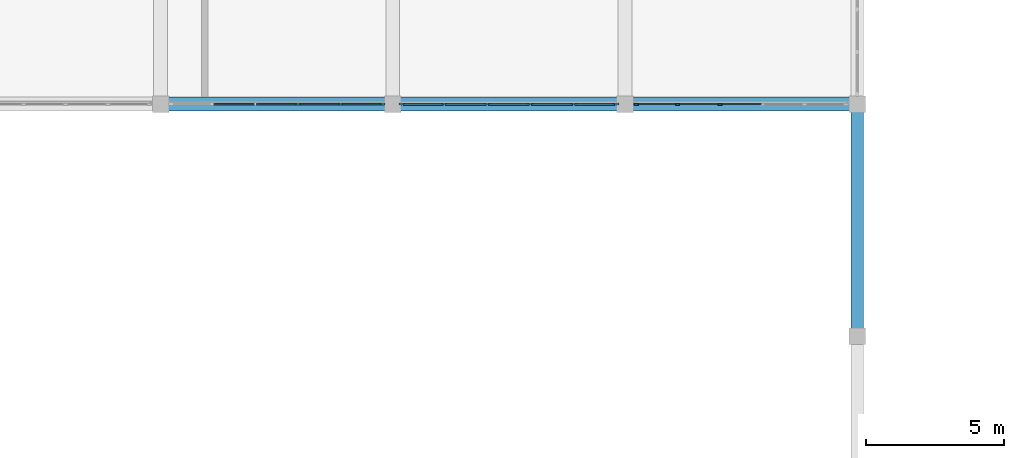
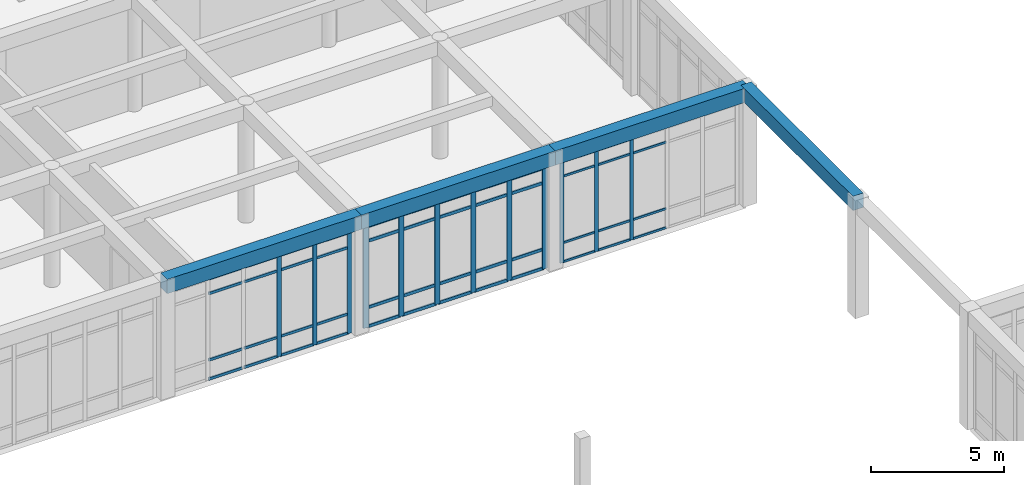
# One storey, part 15 of 89: 59 members, 4 beams, 3 elements without a shape of their own.
"""IFC4 building model written with IfcOpenShell, lengths in metres."""

import ifcopenshell
import ifcopenshell.guid

model = None  # the IFC model being written
_history = None  # IfcOwnerHistory: only IFC2X3 demands one
_inside = {}  # id of a spatial element -> (the spatial element, [elements in it])
_under = {}  # id of a project, library or spatial element -> (it, [spatial elements below it])
_declared = {}  # id of a project -> (the project, [libraries it declares])
_typed = {}  # id of a type object -> (the type object, [elements of that type])
_made_of = {}  # id of a material, layer set ... -> (it, [elements and type objects made of it])


def new_model(schema):
    """Start an empty IFC model of exactly this schema.

    Asked for "IFC4X3", IfcOpenShell would pick the latest addendum, in which some entities
    have other attributes; the version numbers below select the first issue.
    IFC2X3 requires an IfcOwnerHistory on every rooted entity: one is made here for all.
    """
    global model, _history
    if schema == "IFC4X3":
        model = ifcopenshell.file(schema_version=(4, 3, 0, 0))
    else:
        model = ifcopenshell.file(schema=schema)
    _inside.clear()
    _under.clear()
    _declared.clear()
    _typed.clear()
    _made_of.clear()
    _history = None
    if model.schema == "IFC2X3":
        org = make("IfcOrganization", Name="unknown")
        user = make(
            "IfcPersonAndOrganization",
            ThePerson=make("IfcPerson", FamilyName="unknown"),
            TheOrganization=org,
        )
        app = make(
            "IfcApplication",
            ApplicationDeveloper=org,
            Version="unknown",
            ApplicationFullName="unknown",
            ApplicationIdentifier="unknown",
        )
        _history = make(
            "IfcOwnerHistory",
            OwningUser=user,
            OwningApplication=app,
            ChangeAction="ADDED",
            CreationDate=0,
        )
    return model


def make(cls, **values):
    """One entity of the class cls with the attributes given. An attribute that is None is left unset."""
    return model.create_entity(
        cls, **{name: value for name, value in values.items() if value is not None}
    )


def rooted(cls, **values):
    """An entity with a GlobalId (a new one), such as an element, a storey or a relation."""
    return make(cls, GlobalId=ifcopenshell.guid.new(), OwnerHistory=_history, **values)


def si_unit(unit_type, name, prefix=None):
    """IfcSIUnit, for example si_unit("LENGTHUNIT", "METRE", prefix="MILLI")."""
    return make("IfcSIUnit", UnitType=unit_type, Prefix=prefix, Name=name)


def assignment(units):
    """IfcUnitAssignment: the units of a project."""
    return None if units is None else make("IfcUnitAssignment", Units=units)


def point(xyz):
    """IfcCartesianPoint."""
    return None if xyz is None else make("IfcCartesianPoint", Coordinates=xyz)


def direction(xyz):
    """IfcDirection."""
    return None if xyz is None else make("IfcDirection", DirectionRatios=xyz)


def frame(location, z_axis=None, x_axis=None):
    """IfcAxis2Placement3D, a coordinate frame: its origin and axes. An axis left out is left unset."""
    return make(
        "IfcAxis2Placement3D",
        Location=point(location),
        Axis=direction(z_axis),
        RefDirection=direction(x_axis),
    )


def frame_2d(location, x_axis=None):
    """IfcAxis2Placement2D, a coordinate frame in the plane: its origin and x axis."""
    return make(
        "IfcAxis2Placement2D", Location=point(location), RefDirection=direction(x_axis)
    )


def origin():
    """The frame at (0, 0, 0) with its axes left unset."""
    return frame((0.0, 0.0, 0.0))


def origin_2d():
    """The frame at (0, 0) in the plane with its x axis left unset."""
    return frame_2d((0.0, 0.0))


def place(relative_to, where):
    """IfcLocalPlacement: puts the frame where relative to a parent placement (None: the world)."""
    return make(
        "IfcLocalPlacement", PlacementRelTo=relative_to, RelativePlacement=where
    )


def context(
    kind, dimensions, precision=None, world=None, true_north=None, identifier=None
):
    """IfcGeometricRepresentationContext, for example the 3D "Model" context."""
    return make(
        "IfcGeometricRepresentationContext",
        ContextIdentifier=identifier,
        ContextType=kind,
        CoordinateSpaceDimension=dimensions,
        Precision=precision,
        WorldCoordinateSystem=world,
        TrueNorth=true_north,
    )


def subcontext(parent, identifier, kind, view, scale=None):
    """IfcGeometricRepresentationSubContext, for example "Body" below "Model"."""
    return make(
        "IfcGeometricRepresentationSubContext",
        ContextIdentifier=identifier,
        ContextType=kind,
        ParentContext=parent,
        TargetScale=scale,
        TargetView=view,
    )


def project(units=None, contexts=None):
    """IfcProject with its units and contexts."""
    return rooted(
        "IfcProject",
        Name="project",
        RepresentationContexts=contexts,
        UnitsInContext=assignment(units),
    )


def spatial(cls, under=None, at=None, **own):
    """A site, building, storey or space (cls), placed at a placement, below another one or the project."""
    s = rooted(cls, ObjectPlacement=at, **own)
    if under is not None:
        _under.setdefault(under.id(), (under, []))[1].append(s)
    return s


def profile(cls, at=None, kind="AREA", **sizes):
    """A parametric profile (cls). Its sizes go by their IFC names, for example OverallWidth=200.0."""
    return make(cls, ProfileType=kind, Position=at, **sizes)


def rectangle(**sizes):
    """IfcRectangleProfileDef."""
    return profile("IfcRectangleProfileDef", **sizes)


def extrude(swept, where, along, depth):
    """IfcExtrudedAreaSolid: the profile swept, set in the frame where, extruded along a direction by depth."""
    return make(
        "IfcExtrudedAreaSolid",
        SweptArea=swept,
        Position=where,
        ExtrudedDirection=direction(along),
        Depth=depth,
    )


def shape(context_of_items, identifier, shape_type, items):
    """IfcShapeRepresentation: the items that make up one representation, for example the "Body"."""
    return make(
        "IfcShapeRepresentation",
        ContextOfItems=context_of_items,
        RepresentationIdentifier=identifier,
        RepresentationType=shape_type,
        Items=items,
    )


def material(Name=None, Category=None):
    """IfcMaterial."""
    return make("IfcMaterial", Name=Name, Category=Category)


def material_profile(
    of_material, cross_section, Name=None, Category=None, Priority=None
):
    """IfcMaterialProfile: a cross section and its material."""
    return make(
        "IfcMaterialProfile",
        Name=Name,
        Material=of_material,
        Profile=cross_section,
        Priority=Priority,
        Category=Category,
    )


def profile_set(profiles, Name=None, composite=None):
    """IfcMaterialProfileSet."""
    return make(
        "IfcMaterialProfileSet",
        Name=Name,
        MaterialProfiles=profiles,
        CompositeProfile=composite,
    )


def made_of(thing, what):
    """Note that an element or type object is made of a material, layer set ...; save() writes the relation."""
    if what is not None:
        _made_of.setdefault(what.id(), (what, []))[1].append(thing)
    return thing


def type_object(cls, material=None, **own):
    """A type object (cls), such as IfcWallType, which elements share."""
    return made_of(rooted(cls, **own), material)


def element(
    cls,
    number,
    at=None,
    inside=None,
    cuts=None,
    type_object=None,
    material=None,
    context=None,
    identifier="Body",
    shape_type=None,
    held_by="IfcProductDefinitionShape",
    body=None,
    shapes=None,
    **own,
):
    """One element of the class cls, such as IfcWall. Its Tag is "e" and its number.

    at: its placement. inside: the storey or other place that contains it. cuts: it is an
    opening in that element (IfcRelVoidsElement). A single representation is given by context,
    identifier, shape_type and body (its items); several are given by shapes. held_by: the class
    of the entity that holds the representations. save() writes the other relations.
    """
    e = rooted(cls, Tag="e%d" % number, ObjectPlacement=at, **own)
    if body is not None:
        shapes = [shape(context, identifier, shape_type, body)]
    if shapes is not None:
        e.Representation = make(held_by, Representations=shapes)
    if inside is not None:
        _inside.setdefault(inside.id(), (inside, []))[1].append(e)
    if cuts is not None:
        rooted(
            "IfcRelVoidsElement", RelatingBuildingElement=cuts, RelatedOpeningElement=e
        )
    if type_object is not None:
        _typed.setdefault(type_object.id(), (type_object, []))[1].append(e)
    return made_of(e, material)


def aggregate(whole, parts):
    """IfcRelAggregates: a whole, such as a stair, and the parts it consists of."""
    return rooted("IfcRelAggregates", RelatingObject=whole, RelatedObjects=parts)


def save(model, path):
    """Write the relations noted so far, then the file.

    IfcRelAggregates (storeys below a building ...), IfcRelContainedInSpatialStructure (elements
    in a storey), IfcRelDefinesByType, IfcRelAssociatesMaterial and IfcRelDeclares: one each for
    every whole, place, type object, material and project.
    """
    for whole, parts in _under.values():
        aggregate(whole, parts)
    for where, things in _inside.values():
        rooted(
            "IfcRelContainedInSpatialStructure",
            RelatedElements=things,
            RelatingStructure=where,
        )
    for kind, things in _typed.values():
        rooted("IfcRelDefinesByType", RelatedObjects=things, RelatingType=kind)
    for what, things in _made_of.values():
        rooted("IfcRelAssociatesMaterial", RelatedObjects=things, RelatingMaterial=what)
    for by, libraries in _declared.values():
        rooted("IfcRelDeclares", RelatingContext=by, RelatedDefinitions=libraries)
    model.write(path)


model = new_model("IFC4")

# Units and contexts
model_context = context("Model", 3, precision=1e-05, world=origin(), true_north=direction((0.0, 1.0)))
body_context = subcontext(model_context, "Body", "Model", "MODEL_VIEW")
ifc_project = project(units=[si_unit("LENGTHUNIT", "METRE"), si_unit("AREAUNIT", "SQUARE_METRE"), si_unit("VOLUMEUNIT", "CUBIC_METRE"), si_unit("PLANEANGLEUNIT", "RADIAN"), si_unit("MASSUNIT", "GRAM", prefix="KILO")], contexts=[model_context])

# Site, building, storey
site_placement = place(None, origin())
site = spatial("IfcSite", under=ifc_project, at=site_placement, CompositionType="ELEMENT")
building_placement = place(site_placement, origin())
building = spatial("IfcBuilding", under=site, at=building_placement, Name="Varncliffe General Hospital", CompositionType="ELEMENT")
storey_placement = place(building_placement, frame((0.0, 0.0, 10.800048828125)))
storey = spatial("IfcBuildingStorey", under=building, at=storey_placement, Name="L02", CompositionType="ELEMENT", Elevation=10.800048828125)

# Beams
ifc_material_1 = material(Name="Concrete C35/45 (CSA A23.1 35 MPa)", Category="concrete")
ifc_material_profile_1 = material_profile(ifc_material_1, rectangle(XDim=0.5, YDim=0.64990234375, at=origin_2d()), Name="RC 500x650")
ifc_profile_set_1 = profile_set([ifc_material_profile_1], Name="Concrete C35/45 (CSA A23.1 35 MPa)")
beam_type_1 = type_object("IfcBeamType", Name="Beam B29 (Int RC 500x650)", PredefinedType="BEAM", material=ifc_profile_set_1)
beam_1_placement = place(storey_placement, frame((92.39990234375, 57.60009765625, 5.074951171875), z_axis=(1.0, 0.0, 0.0), x_axis=(0.0, 1.0, 0.0)))
element("IfcBeam", 1, at=beam_1_placement, inside=storey, type_object=beam_type_1, Name="L02 Primary Beam B29-61", PredefinedType="BEAM", context=body_context, shape_type="SweptSolid", body=[
    extrude(rectangle(XDim=0.5, YDim=0.64990234375, at=origin_2d()), origin(), (0.0, 0.0, 1.0), 8.400146484375),
])
beam_2_placement = place(storey_placement, frame((100.800048828125, 57.60009765625, 5.074951171875), z_axis=(1.0, 0.0, 0.0), x_axis=(0.0, 1.0, 0.0)))
element("IfcBeam", 2, at=beam_2_placement, inside=storey, type_object=beam_type_1, Name="L02 Primary Beam B29-62", PredefinedType="BEAM", context=body_context, shape_type="SweptSolid", body=[
    extrude(rectangle(XDim=0.5, YDim=0.64990234375, at=origin_2d()), origin(), (0.0, 0.0, 1.0), 8.39990234375),
])
beam_3_placement = place(storey_placement, frame((109.199951171875, 57.60009765625, 5.074951171875), z_axis=(1.0, 0.0, 0.0), x_axis=(0.0, 1.0, 0.0)))
element("IfcBeam", 3, at=beam_3_placement, inside=storey, type_object=beam_type_1, Name="L02 Primary Beam B29-63", PredefinedType="BEAM", context=body_context, shape_type="SweptSolid", body=[
    extrude(rectangle(XDim=0.5, YDim=0.64990234375, at=origin_2d()), origin(), (0.0, 0.0, 1.0), 8.400146484375),
])

# Curtain wall, members
ifc_material_2 = material(Name="Triple low-E argon insulated vision glazing", Category="glass")
curtain_wall_type_1 = type_object("IfcCurtainWallType", Name="Unitised Glazed Curtain Wall CW70 (7724x4640)", PredefinedType="USERDEFINED", material=ifc_material_2)
curtain_wall_1_placement = place(storey_placement, origin())
curtain_wall_1 = element("IfcCurtainWall", 4, at=curtain_wall_1_placement, inside=storey, type_object=curtain_wall_type_1, Name="L02 Glazed Curtain Wall CW70-136", ObjectType="GLAZED CURTAIN WALL", PredefinedType="USERDEFINED")
ifc_material_3 = material(Name="Dark bronze thermally broken aluminium framing", Category="aluminium")
ifc_material_profile_2 = material_profile(ifc_material_3, rectangle(XDim=0.074951171875, YDim=0.179931640625, at=origin_2d()), Name="ALU 75x180")
ifc_profile_set_2 = profile_set([ifc_material_profile_2], Name="Dark bronze thermally broken aluminium framing")
member_type_1 = type_object("IfcMemberType", Name="Curtain Wall Mullion CM44 (ALU 75x180)", PredefinedType="MULLION", material=ifc_profile_set_2)
member_1_placement = place(storey_placement, frame((100.424560546875, 57.60009765625, 0.0), z_axis=(0.0, 0.0, 1.0), x_axis=(0.0, -1.0, 0.0)))
member_1 = element("IfcMember", 5, at=member_1_placement, type_object=member_type_1, Name="CW70 mullion 1", PredefinedType="MULLION", context=body_context, shape_type="SweptSolid", body=[
    extrude(rectangle(XDim=0.074951171875, YDim=0.179931640625, at=origin_2d()), origin(), (0.0, 0.0, 1.0), 4.639892578125),
])
member_2_placement = place(storey_placement, frame((98.917236328125, 57.60009765625, 0.0), z_axis=(0.0, 0.0, 1.0), x_axis=(0.0, -1.0, 0.0)))
member_2 = element("IfcMember", 6, at=member_2_placement, type_object=member_type_1, Name="CW70 mullion 2", PredefinedType="MULLION", context=body_context, shape_type="SweptSolid", body=[
    extrude(rectangle(XDim=0.074951171875, YDim=0.179931640625, at=origin_2d()), origin(), (0.0, 0.0, 1.0), 4.639892578125),
])
member_3_placement = place(storey_placement, frame((97.372314453125, 57.60009765625, 0.0), z_axis=(0.0, 0.0, 1.0), x_axis=(0.0, -1.0, 0.0)))
member_3 = element("IfcMember", 7, at=member_3_placement, type_object=member_type_1, Name="CW70 mullion 3", PredefinedType="MULLION", context=body_context, shape_type="SweptSolid", body=[
    extrude(rectangle(XDim=0.074951171875, YDim=0.179931640625, at=origin_2d()), origin(), (0.0, 0.0, 1.0), 4.639892578125),
])

curtain_wall_type_2 = type_object("IfcCurtainWallType", Name="Unitised Glazed Curtain Wall CW27 (7644x4640)", PredefinedType="USERDEFINED", material=ifc_material_2)
curtain_wall_2_placement = place(storey_placement, origin())
curtain_wall_2 = element("IfcCurtainWall", 8, at=curtain_wall_2_placement, inside=storey, type_object=curtain_wall_type_2, Name="L02 Glazed Curtain Wall CW27-134", ObjectType="GLAZED CURTAIN WALL", PredefinedType="USERDEFINED")
ifc_material_profile_3 = material_profile(ifc_material_3, rectangle(XDim=0.06494140625, YDim=0.159912109375, at=origin_2d()), Name="ALU 65x160")
ifc_profile_set_3 = profile_set([ifc_material_profile_3], Name="Dark bronze thermally broken aluminium framing")
member_type_2 = type_object("IfcMemberType", Name="Curtain Wall Mullion CM65 (ALU 65x160)", PredefinedType="MULLION", material=ifc_profile_set_3)
member_4_placement = place(storey_placement, frame((112.635498046875, 57.60009765625, 0.0), z_axis=(0.0, 0.0, 1.0), x_axis=(0.0, -1.0, 0.0)))
member_4 = element("IfcMember", 9, at=member_4_placement, type_object=member_type_2, Name="CW27 mullion 4", PredefinedType="MULLION", context=body_context, shape_type="SweptSolid", body=[
    extrude(rectangle(XDim=0.06494140625, YDim=0.159912109375, at=origin_2d()), origin(), (0.0, 0.0, 1.0), 4.639892578125),
])
member_5_placement = place(storey_placement, frame((111.106689453125, 57.60009765625, 0.0), z_axis=(0.0, 0.0, 1.0), x_axis=(0.0, -1.0, 0.0)))
member_5 = element("IfcMember", 10, at=member_5_placement, type_object=member_type_2, Name="CW27 mullion 5", PredefinedType="MULLION", context=body_context, shape_type="SweptSolid", body=[
    extrude(rectangle(XDim=0.06494140625, YDim=0.159912109375, at=origin_2d()), origin(), (0.0, 0.0, 1.0), 4.639892578125),
])
member_6_placement = place(storey_placement, frame((109.610595703125, 57.60009765625, 0.0), z_axis=(0.0, 0.0, 1.0), x_axis=(0.0, -1.0, 0.0)))
member_6 = element("IfcMember", 11, at=member_6_placement, type_object=member_type_2, Name="CW27 mullion 6", PredefinedType="MULLION", context=body_context, shape_type="SweptSolid", body=[
    extrude(rectangle(XDim=0.06494140625, YDim=0.159912109375, at=origin_2d()), origin(), (0.0, 0.0, 1.0), 4.639892578125),
])

curtain_wall_type_3 = type_object("IfcCurtainWallType", Name="Unitised Glazed Curtain Wall CW85 (7804x4640)", PredefinedType="USERDEFINED", material=ifc_material_2)
curtain_wall_3_placement = place(storey_placement, origin())
curtain_wall_3 = element("IfcCurtainWall", 12, at=curtain_wall_3_placement, inside=storey, type_object=curtain_wall_type_3, Name="L02 Glazed Curtain Wall CW85-135", ObjectType="GLAZED CURTAIN WALL", PredefinedType="USERDEFINED")
ifc_material_profile_4 = material_profile(ifc_material_3, rectangle(XDim=0.074951171875, YDim=0.219970703125, at=origin_2d()), Name="ALU 75x220")
ifc_profile_set_4 = profile_set([ifc_material_profile_4], Name="Dark bronze thermally broken aluminium framing")
member_type_3 = type_object("IfcMemberType", Name="Curtain Wall Mullion CM74 (ALU 75x220)", PredefinedType="MULLION", material=ifc_profile_set_4)
member_7_placement = place(storey_placement, frame((108.864501953125, 57.60009765625, 0.0), z_axis=(0.0, 0.0, 1.0), x_axis=(0.0, -1.0, 0.0)))
member_7 = element("IfcMember", 13, at=member_7_placement, type_object=member_type_3, Name="CW85 mullion 1", PredefinedType="MULLION", context=body_context, shape_type="SweptSolid", body=[
    extrude(rectangle(XDim=0.074951171875, YDim=0.219970703125, at=origin_2d()), origin(), (0.0, 0.0, 1.0), 4.639892578125),
])
member_8_placement = place(storey_placement, frame((107.34130859375, 57.60009765625, 0.0), z_axis=(0.0, 0.0, 1.0), x_axis=(0.0, -1.0, 0.0)))
member_8 = element("IfcMember", 14, at=member_8_placement, type_object=member_type_3, Name="CW85 mullion 2", PredefinedType="MULLION", context=body_context, shape_type="SweptSolid", body=[
    extrude(rectangle(XDim=0.074951171875, YDim=0.219970703125, at=origin_2d()), origin(), (0.0, 0.0, 1.0), 4.639892578125),
])
member_9_placement = place(storey_placement, frame((105.780517578125, 57.60009765625, 0.0), z_axis=(0.0, 0.0, 1.0), x_axis=(0.0, -1.0, 0.0)))
member_9 = element("IfcMember", 15, at=member_9_placement, type_object=member_type_3, Name="CW85 mullion 3", PredefinedType="MULLION", context=body_context, shape_type="SweptSolid", body=[
    extrude(rectangle(XDim=0.074951171875, YDim=0.219970703125, at=origin_2d()), origin(), (0.0, 0.0, 1.0), 4.639892578125),
])
member_10_placement = place(storey_placement, frame((104.219482421875, 57.60009765625, 0.0), z_axis=(0.0, 0.0, 1.0), x_axis=(0.0, -1.0, 0.0)))
member_10 = element("IfcMember", 16, at=member_10_placement, type_object=member_type_3, Name="CW85 mullion 4", PredefinedType="MULLION", context=body_context, shape_type="SweptSolid", body=[
    extrude(rectangle(XDim=0.074951171875, YDim=0.219970703125, at=origin_2d()), origin(), (0.0, 0.0, 1.0), 4.639892578125),
])
member_11_placement = place(storey_placement, frame((102.65869140625, 57.60009765625, 0.0), z_axis=(0.0, 0.0, 1.0), x_axis=(0.0, -1.0, 0.0)))
member_11 = element("IfcMember", 17, at=member_11_placement, type_object=member_type_3, Name="CW85 mullion 5", PredefinedType="MULLION", context=body_context, shape_type="SweptSolid", body=[
    extrude(rectangle(XDim=0.074951171875, YDim=0.219970703125, at=origin_2d()), origin(), (0.0, 0.0, 1.0), 4.639892578125),
])
member_12_placement = place(storey_placement, frame((101.135498046875, 57.60009765625, 0.0), z_axis=(0.0, 0.0, 1.0), x_axis=(0.0, -1.0, 0.0)))
member_12 = element("IfcMember", 18, at=member_12_placement, type_object=member_type_3, Name="CW85 mullion 6", PredefinedType="MULLION", context=body_context, shape_type="SweptSolid", body=[
    extrude(rectangle(XDim=0.074951171875, YDim=0.219970703125, at=origin_2d()), origin(), (0.0, 0.0, 1.0), 4.639892578125),
])

# Member
ifc_material_profile_5 = material_profile(ifc_material_3, rectangle(XDim=0.06005859375, YDim=0.1201171875, at=origin_2d()), Name="ALU 60x120")
ifc_profile_set_5 = profile_set([ifc_material_profile_5], Name="Dark bronze thermally broken aluminium framing")
member_type_4 = type_object("IfcMemberType", Name="Curtain Wall Transom CT14 (ALU 60x120)", PredefinedType="USERDEFINED", material=ifc_profile_set_5)
member_13_placement = place(storey_placement, frame((100.386962890625, 57.60009765625, 0.030029296875), z_axis=(-1.0, 0.0, 0.0), x_axis=(0.0, -1.0, 0.0)))
member_13 = element("IfcMember", 19, at=member_13_placement, type_object=member_type_4, Name="CW70 transom 1.1", ObjectType="TRANSOM", PredefinedType="USERDEFINED", context=body_context, shape_type="SweptSolid", body=[
    extrude(rectangle(XDim=0.06005859375, YDim=0.1201171875, at=origin_2d()), origin(), (0.0, 0.0, 1.0), 1.432373046875),
])

member_14_placement = place(storey_placement, frame((100.386962890625, 57.60009765625, 0.89990234375), z_axis=(-1.0, 0.0, 0.0), x_axis=(0.0, -1.0, 0.0)))
member_14 = element("IfcMember", 20, at=member_14_placement, type_object=member_type_4, Name="CW70 transom 1.2", ObjectType="TRANSOM", PredefinedType="USERDEFINED", context=body_context, shape_type="SweptSolid", body=[
    extrude(rectangle(XDim=0.06005859375, YDim=0.1201171875, at=origin_2d()), origin(), (0.0, 0.0, 1.0), 1.432373046875),
])

member_15_placement = place(storey_placement, frame((100.386962890625, 57.60009765625, 3.93994140625), z_axis=(-1.0, 0.0, 0.0), x_axis=(0.0, -1.0, 0.0)))
member_15 = element("IfcMember", 21, at=member_15_placement, type_object=member_type_4, Name="CW70 transom 1.3", ObjectType="TRANSOM", PredefinedType="USERDEFINED", context=body_context, shape_type="SweptSolid", body=[
    extrude(rectangle(XDim=0.06005859375, YDim=0.1201171875, at=origin_2d()), origin(), (0.0, 0.0, 1.0), 1.432373046875),
])

member_16_placement = place(storey_placement, frame((100.386962890625, 57.60009765625, 4.60986328125), z_axis=(-1.0, 0.0, 0.0), x_axis=(0.0, -1.0, 0.0)))
member_16 = element("IfcMember", 22, at=member_16_placement, type_object=member_type_4, Name="CW70 transom 1.4", ObjectType="TRANSOM", PredefinedType="USERDEFINED", context=body_context, shape_type="SweptSolid", body=[
    extrude(rectangle(XDim=0.06005859375, YDim=0.1201171875, at=origin_2d()), origin(), (0.0, 0.0, 1.0), 1.432373046875),
])

member_17_placement = place(storey_placement, frame((98.879638671875, 57.60009765625, 0.030029296875), z_axis=(-1.0, 0.0, 0.0), x_axis=(0.0, -1.0, 0.0)))
member_17 = element("IfcMember", 23, at=member_17_placement, type_object=member_type_4, Name="CW70 transom 2.1", ObjectType="TRANSOM", PredefinedType="USERDEFINED", context=body_context, shape_type="SweptSolid", body=[
    extrude(rectangle(XDim=0.06005859375, YDim=0.1201171875, at=origin_2d()), origin(), (0.0, 0.0, 1.0), 1.4697265625),
])

member_18_placement = place(storey_placement, frame((98.879638671875, 57.60009765625, 0.89990234375), z_axis=(-1.0, 0.0, 0.0), x_axis=(0.0, -1.0, 0.0)))
member_18 = element("IfcMember", 24, at=member_18_placement, type_object=member_type_4, Name="CW70 transom 2.2", ObjectType="TRANSOM", PredefinedType="USERDEFINED", context=body_context, shape_type="SweptSolid", body=[
    extrude(rectangle(XDim=0.06005859375, YDim=0.1201171875, at=origin_2d()), origin(), (0.0, 0.0, 1.0), 1.4697265625),
])

member_19_placement = place(storey_placement, frame((98.879638671875, 57.60009765625, 3.93994140625), z_axis=(-1.0, 0.0, 0.0), x_axis=(0.0, -1.0, 0.0)))
member_19 = element("IfcMember", 25, at=member_19_placement, type_object=member_type_4, Name="CW70 transom 2.3", ObjectType="TRANSOM", PredefinedType="USERDEFINED", context=body_context, shape_type="SweptSolid", body=[
    extrude(rectangle(XDim=0.06005859375, YDim=0.1201171875, at=origin_2d()), origin(), (0.0, 0.0, 1.0), 1.4697265625),
])

member_20_placement = place(storey_placement, frame((98.879638671875, 57.60009765625, 4.60986328125), z_axis=(-1.0, 0.0, 0.0), x_axis=(0.0, -1.0, 0.0)))
member_20 = element("IfcMember", 26, at=member_20_placement, type_object=member_type_4, Name="CW70 transom 2.4", ObjectType="TRANSOM", PredefinedType="USERDEFINED", context=body_context, shape_type="SweptSolid", body=[
    extrude(rectangle(XDim=0.06005859375, YDim=0.1201171875, at=origin_2d()), origin(), (0.0, 0.0, 1.0), 1.4697265625),
])

member_21_placement = place(storey_placement, frame((97.3349609375, 57.60009765625, 0.030029296875), z_axis=(-1.0, 0.0, 0.0), x_axis=(0.0, -1.0, 0.0)))
member_21 = element("IfcMember", 27, at=member_21_placement, type_object=member_type_4, Name="CW70 transom 3.1", ObjectType="TRANSOM", PredefinedType="USERDEFINED", context=body_context, shape_type="SweptSolid", body=[
    extrude(rectangle(XDim=0.06005859375, YDim=0.1201171875, at=origin_2d()), origin(), (0.0, 0.0, 1.0), 1.469970703125),
])

member_22_placement = place(storey_placement, frame((97.3349609375, 57.60009765625, 0.89990234375), z_axis=(-1.0, 0.0, 0.0), x_axis=(0.0, -1.0, 0.0)))
member_22 = element("IfcMember", 28, at=member_22_placement, type_object=member_type_4, Name="CW70 transom 3.2", ObjectType="TRANSOM", PredefinedType="USERDEFINED", context=body_context, shape_type="SweptSolid", body=[
    extrude(rectangle(XDim=0.06005859375, YDim=0.1201171875, at=origin_2d()), origin(), (0.0, 0.0, 1.0), 1.469970703125),
])

member_23_placement = place(storey_placement, frame((97.3349609375, 57.60009765625, 3.93994140625), z_axis=(-1.0, 0.0, 0.0), x_axis=(0.0, -1.0, 0.0)))
member_23 = element("IfcMember", 29, at=member_23_placement, type_object=member_type_4, Name="CW70 transom 3.3", ObjectType="TRANSOM", PredefinedType="USERDEFINED", context=body_context, shape_type="SweptSolid", body=[
    extrude(rectangle(XDim=0.06005859375, YDim=0.1201171875, at=origin_2d()), origin(), (0.0, 0.0, 1.0), 1.469970703125),
])

member_24_placement = place(storey_placement, frame((97.3349609375, 57.60009765625, 4.60986328125), z_axis=(-1.0, 0.0, 0.0), x_axis=(0.0, -1.0, 0.0)))
member_24 = element("IfcMember", 30, at=member_24_placement, type_object=member_type_4, Name="CW70 transom 3.4", ObjectType="TRANSOM", PredefinedType="USERDEFINED", context=body_context, shape_type="SweptSolid", body=[
    extrude(rectangle(XDim=0.06005859375, YDim=0.1201171875, at=origin_2d()), origin(), (0.0, 0.0, 1.0), 1.469970703125),
])

member_25_placement = place(storey_placement, frame((95.7900390625, 57.60009765625, 0.030029296875), z_axis=(-1.0, 0.0, 0.0), x_axis=(0.0, -1.0, 0.0)))
member_25 = element("IfcMember", 31, at=member_25_placement, type_object=member_type_4, Name="CW70 transom 4.1", ObjectType="TRANSOM", PredefinedType="USERDEFINED", context=body_context, shape_type="SweptSolid", body=[
    extrude(rectangle(XDim=0.06005859375, YDim=0.1201171875, at=origin_2d()), origin(), (0.0, 0.0, 1.0), 1.4697265625),
])

member_26_placement = place(storey_placement, frame((95.7900390625, 57.60009765625, 0.89990234375), z_axis=(-1.0, 0.0, 0.0), x_axis=(0.0, -1.0, 0.0)))
member_26 = element("IfcMember", 32, at=member_26_placement, type_object=member_type_4, Name="CW70 transom 4.2", ObjectType="TRANSOM", PredefinedType="USERDEFINED", context=body_context, shape_type="SweptSolid", body=[
    extrude(rectangle(XDim=0.06005859375, YDim=0.1201171875, at=origin_2d()), origin(), (0.0, 0.0, 1.0), 1.4697265625),
])

member_27_placement = place(storey_placement, frame((95.7900390625, 57.60009765625, 3.93994140625), z_axis=(-1.0, 0.0, 0.0), x_axis=(0.0, -1.0, 0.0)))
member_27 = element("IfcMember", 33, at=member_27_placement, type_object=member_type_4, Name="CW70 transom 4.3", ObjectType="TRANSOM", PredefinedType="USERDEFINED", context=body_context, shape_type="SweptSolid", body=[
    extrude(rectangle(XDim=0.06005859375, YDim=0.1201171875, at=origin_2d()), origin(), (0.0, 0.0, 1.0), 1.4697265625),
])

member_28_placement = place(storey_placement, frame((95.7900390625, 57.60009765625, 4.60986328125), z_axis=(-1.0, 0.0, 0.0), x_axis=(0.0, -1.0, 0.0)))
member_28 = element("IfcMember", 34, at=member_28_placement, type_object=member_type_4, Name="CW70 transom 4.4", ObjectType="TRANSOM", PredefinedType="USERDEFINED", context=body_context, shape_type="SweptSolid", body=[
    extrude(rectangle(XDim=0.06005859375, YDim=0.1201171875, at=origin_2d()), origin(), (0.0, 0.0, 1.0), 1.4697265625),
])

aggregate(curtain_wall_1, [member_1, member_2, member_3, member_13, member_14, member_15, member_16, member_17, member_18, member_19, member_20, member_21, member_22, member_23, member_24, member_25, member_26, member_27, member_28])

ifc_material_profile_6 = material_profile(ifc_material_3, rectangle(XDim=0.06005859375, YDim=0.10009765625, at=origin_2d()), Name="ALU 60x100")
ifc_profile_set_6 = profile_set([ifc_material_profile_6], Name="Dark bronze thermally broken aluminium framing")
member_type_5 = type_object("IfcMemberType", Name="Curtain Wall Transom CT18 (ALU 60x100)", PredefinedType="USERDEFINED", material=ifc_profile_set_6)
member_29_placement = place(storey_placement, frame((114.1318359375, 57.60009765625, 0.030029296875), z_axis=(-1.0, 0.0, 0.0), x_axis=(0.0, -1.0, 0.0)))
member_29 = element("IfcMember", 35, at=member_29_placement, type_object=member_type_5, Name="CW27 transom 3.1", ObjectType="TRANSOM", PredefinedType="USERDEFINED", context=body_context, shape_type="SweptSolid", body=[
    extrude(rectangle(XDim=0.06005859375, YDim=0.10009765625, at=origin_2d()), origin(), (0.0, 0.0, 1.0), 1.463623046875),
])

member_30_placement = place(storey_placement, frame((114.1318359375, 57.60009765625, 0.89990234375), z_axis=(-1.0, 0.0, 0.0), x_axis=(0.0, -1.0, 0.0)))
member_30 = element("IfcMember", 36, at=member_30_placement, type_object=member_type_5, Name="CW27 transom 3.2", ObjectType="TRANSOM", PredefinedType="USERDEFINED", context=body_context, shape_type="SweptSolid", body=[
    extrude(rectangle(XDim=0.06005859375, YDim=0.10009765625, at=origin_2d()), origin(), (0.0, 0.0, 1.0), 1.463623046875),
])

member_31_placement = place(storey_placement, frame((114.1318359375, 57.60009765625, 3.93994140625), z_axis=(-1.0, 0.0, 0.0), x_axis=(0.0, -1.0, 0.0)))
member_31 = element("IfcMember", 37, at=member_31_placement, type_object=member_type_5, Name="CW27 transom 3.3", ObjectType="TRANSOM", PredefinedType="USERDEFINED", context=body_context, shape_type="SweptSolid", body=[
    extrude(rectangle(XDim=0.06005859375, YDim=0.10009765625, at=origin_2d()), origin(), (0.0, 0.0, 1.0), 1.463623046875),
])

member_32_placement = place(storey_placement, frame((112.60302734375, 57.60009765625, 0.030029296875), z_axis=(-1.0, 0.0, 0.0), x_axis=(0.0, -1.0, 0.0)))
member_32 = element("IfcMember", 38, at=member_32_placement, type_object=member_type_5, Name="CW27 transom 4.1", ObjectType="TRANSOM", PredefinedType="USERDEFINED", context=body_context, shape_type="SweptSolid", body=[
    extrude(rectangle(XDim=0.06005859375, YDim=0.10009765625, at=origin_2d()), origin(), (0.0, 0.0, 1.0), 1.463623046875),
])

member_33_placement = place(storey_placement, frame((112.60302734375, 57.60009765625, 0.89990234375), z_axis=(-1.0, 0.0, 0.0), x_axis=(0.0, -1.0, 0.0)))
member_33 = element("IfcMember", 39, at=member_33_placement, type_object=member_type_5, Name="CW27 transom 4.2", ObjectType="TRANSOM", PredefinedType="USERDEFINED", context=body_context, shape_type="SweptSolid", body=[
    extrude(rectangle(XDim=0.06005859375, YDim=0.10009765625, at=origin_2d()), origin(), (0.0, 0.0, 1.0), 1.463623046875),
])

member_34_placement = place(storey_placement, frame((112.60302734375, 57.60009765625, 3.93994140625), z_axis=(-1.0, 0.0, 0.0), x_axis=(0.0, -1.0, 0.0)))
member_34 = element("IfcMember", 40, at=member_34_placement, type_object=member_type_5, Name="CW27 transom 4.3", ObjectType="TRANSOM", PredefinedType="USERDEFINED", context=body_context, shape_type="SweptSolid", body=[
    extrude(rectangle(XDim=0.06005859375, YDim=0.10009765625, at=origin_2d()), origin(), (0.0, 0.0, 1.0), 1.463623046875),
])

member_35_placement = place(storey_placement, frame((112.60302734375, 57.60009765625, 4.60986328125), z_axis=(-1.0, 0.0, 0.0), x_axis=(0.0, -1.0, 0.0)))
member_35 = element("IfcMember", 41, at=member_35_placement, type_object=member_type_5, Name="CW27 transom 4.4", ObjectType="TRANSOM", PredefinedType="USERDEFINED", context=body_context, shape_type="SweptSolid", body=[
    extrude(rectangle(XDim=0.06005859375, YDim=0.10009765625, at=origin_2d()), origin(), (0.0, 0.0, 1.0), 1.463623046875),
])

member_36_placement = place(storey_placement, frame((111.07421875, 57.60009765625, 0.030029296875), z_axis=(-1.0, 0.0, 0.0), x_axis=(0.0, -1.0, 0.0)))
member_36 = element("IfcMember", 42, at=member_36_placement, type_object=member_type_5, Name="CW27 transom 5.1", ObjectType="TRANSOM", PredefinedType="USERDEFINED", context=body_context, shape_type="SweptSolid", body=[
    extrude(rectangle(XDim=0.06005859375, YDim=0.10009765625, at=origin_2d()), origin(), (0.0, 0.0, 1.0), 1.43115234375),
])

member_37_placement = place(storey_placement, frame((111.07421875, 57.60009765625, 0.89990234375), z_axis=(-1.0, 0.0, 0.0), x_axis=(0.0, -1.0, 0.0)))
member_37 = element("IfcMember", 43, at=member_37_placement, type_object=member_type_5, Name="CW27 transom 5.2", ObjectType="TRANSOM", PredefinedType="USERDEFINED", context=body_context, shape_type="SweptSolid", body=[
    extrude(rectangle(XDim=0.06005859375, YDim=0.10009765625, at=origin_2d()), origin(), (0.0, 0.0, 1.0), 1.43115234375),
])

member_38_placement = place(storey_placement, frame((111.07421875, 57.60009765625, 3.93994140625), z_axis=(-1.0, 0.0, 0.0), x_axis=(0.0, -1.0, 0.0)))
member_38 = element("IfcMember", 44, at=member_38_placement, type_object=member_type_5, Name="CW27 transom 5.3", ObjectType="TRANSOM", PredefinedType="USERDEFINED", context=body_context, shape_type="SweptSolid", body=[
    extrude(rectangle(XDim=0.06005859375, YDim=0.10009765625, at=origin_2d()), origin(), (0.0, 0.0, 1.0), 1.43115234375),
])

member_39_placement = place(storey_placement, frame((111.07421875, 57.60009765625, 4.60986328125), z_axis=(-1.0, 0.0, 0.0), x_axis=(0.0, -1.0, 0.0)))
member_39 = element("IfcMember", 45, at=member_39_placement, type_object=member_type_5, Name="CW27 transom 5.4", ObjectType="TRANSOM", PredefinedType="USERDEFINED", context=body_context, shape_type="SweptSolid", body=[
    extrude(rectangle(XDim=0.06005859375, YDim=0.10009765625, at=origin_2d()), origin(), (0.0, 0.0, 1.0), 1.43115234375),
])

aggregate(curtain_wall_2, [member_4, member_5, member_6, member_29, member_30, member_31, member_32, member_33, member_34, member_35, member_36, member_37, member_38, member_39])

ifc_material_profile_7 = material_profile(ifc_material_3, rectangle(XDim=0.06494140625, YDim=0.139892578125, at=origin_2d()), Name="ALU 65x140")
ifc_profile_set_7 = profile_set([ifc_material_profile_7], Name="Dark bronze thermally broken aluminium framing")
member_type_6 = type_object("IfcMemberType", Name="Curtain Wall Transom CT69 (ALU 65x140)", PredefinedType="USERDEFINED", material=ifc_profile_set_7)
member_40_placement = place(storey_placement, frame((108.826904296875, 57.60009765625, 0.032470703125), z_axis=(-1.0, 0.0, 0.0), x_axis=(0.0, -1.0, 0.0)))
member_40 = element("IfcMember", 46, at=member_40_placement, type_object=member_type_6, Name="CW85 transom 1.1", ObjectType="TRANSOM", PredefinedType="USERDEFINED", context=body_context, shape_type="SweptSolid", body=[
    extrude(rectangle(XDim=0.06494140625, YDim=0.139892578125, at=origin_2d()), origin(), (0.0, 0.0, 1.0), 1.4482421875),
])

member_41_placement = place(storey_placement, frame((108.826904296875, 57.60009765625, 0.89990234375), z_axis=(-1.0, 0.0, 0.0), x_axis=(0.0, -1.0, 0.0)))
member_41 = element("IfcMember", 47, at=member_41_placement, type_object=member_type_6, Name="CW85 transom 1.2", ObjectType="TRANSOM", PredefinedType="USERDEFINED", context=body_context, shape_type="SweptSolid", body=[
    extrude(rectangle(XDim=0.06494140625, YDim=0.139892578125, at=origin_2d()), origin(), (0.0, 0.0, 1.0), 1.4482421875),
])

member_42_placement = place(storey_placement, frame((108.826904296875, 57.60009765625, 3.93994140625), z_axis=(-1.0, 0.0, 0.0), x_axis=(0.0, -1.0, 0.0)))
member_42 = element("IfcMember", 48, at=member_42_placement, type_object=member_type_6, Name="CW85 transom 1.3", ObjectType="TRANSOM", PredefinedType="USERDEFINED", context=body_context, shape_type="SweptSolid", body=[
    extrude(rectangle(XDim=0.06494140625, YDim=0.139892578125, at=origin_2d()), origin(), (0.0, 0.0, 1.0), 1.4482421875),
])

member_43_placement = place(storey_placement, frame((108.826904296875, 57.60009765625, 4.607421875), z_axis=(-1.0, 0.0, 0.0), x_axis=(0.0, -1.0, 0.0)))
member_43 = element("IfcMember", 49, at=member_43_placement, type_object=member_type_6, Name="CW85 transom 1.4", ObjectType="TRANSOM", PredefinedType="USERDEFINED", context=body_context, shape_type="SweptSolid", body=[
    extrude(rectangle(XDim=0.06494140625, YDim=0.139892578125, at=origin_2d()), origin(), (0.0, 0.0, 1.0), 1.4482421875),
])

member_44_placement = place(storey_placement, frame((107.3037109375, 57.60009765625, 0.032470703125), z_axis=(-1.0, 0.0, 0.0), x_axis=(0.0, -1.0, 0.0)))
member_44 = element("IfcMember", 50, at=member_44_placement, type_object=member_type_6, Name="CW85 transom 2.1", ObjectType="TRANSOM", PredefinedType="USERDEFINED", context=body_context, shape_type="SweptSolid", body=[
    extrude(rectangle(XDim=0.06494140625, YDim=0.139892578125, at=origin_2d()), origin(), (0.0, 0.0, 1.0), 1.48583984375),
])

member_45_placement = place(storey_placement, frame((107.3037109375, 57.60009765625, 0.89990234375), z_axis=(-1.0, 0.0, 0.0), x_axis=(0.0, -1.0, 0.0)))
member_45 = element("IfcMember", 51, at=member_45_placement, type_object=member_type_6, Name="CW85 transom 2.2", ObjectType="TRANSOM", PredefinedType="USERDEFINED", context=body_context, shape_type="SweptSolid", body=[
    extrude(rectangle(XDim=0.06494140625, YDim=0.139892578125, at=origin_2d()), origin(), (0.0, 0.0, 1.0), 1.48583984375),
])

member_46_placement = place(storey_placement, frame((107.3037109375, 57.60009765625, 3.93994140625), z_axis=(-1.0, 0.0, 0.0), x_axis=(0.0, -1.0, 0.0)))
member_46 = element("IfcMember", 52, at=member_46_placement, type_object=member_type_6, Name="CW85 transom 2.3", ObjectType="TRANSOM", PredefinedType="USERDEFINED", context=body_context, shape_type="SweptSolid", body=[
    extrude(rectangle(XDim=0.06494140625, YDim=0.139892578125, at=origin_2d()), origin(), (0.0, 0.0, 1.0), 1.48583984375),
])

member_47_placement = place(storey_placement, frame((107.3037109375, 57.60009765625, 4.607421875), z_axis=(-1.0, 0.0, 0.0), x_axis=(0.0, -1.0, 0.0)))
member_47 = element("IfcMember", 53, at=member_47_placement, type_object=member_type_6, Name="CW85 transom 2.4", ObjectType="TRANSOM", PredefinedType="USERDEFINED", context=body_context, shape_type="SweptSolid", body=[
    extrude(rectangle(XDim=0.06494140625, YDim=0.139892578125, at=origin_2d()), origin(), (0.0, 0.0, 1.0), 1.48583984375),
])

member_48_placement = place(storey_placement, frame((105.742919921875, 57.60009765625, 0.032470703125), z_axis=(-1.0, 0.0, 0.0), x_axis=(0.0, -1.0, 0.0)))
member_48 = element("IfcMember", 54, at=member_48_placement, type_object=member_type_6, Name="CW85 transom 3.1", ObjectType="TRANSOM", PredefinedType="USERDEFINED", context=body_context, shape_type="SweptSolid", body=[
    extrude(rectangle(XDim=0.06494140625, YDim=0.139892578125, at=origin_2d()), origin(), (0.0, 0.0, 1.0), 1.48583984375),
])

member_49_placement = place(storey_placement, frame((105.742919921875, 57.60009765625, 0.89990234375), z_axis=(-1.0, 0.0, 0.0), x_axis=(0.0, -1.0, 0.0)))
member_49 = element("IfcMember", 55, at=member_49_placement, type_object=member_type_6, Name="CW85 transom 3.2", ObjectType="TRANSOM", PredefinedType="USERDEFINED", context=body_context, shape_type="SweptSolid", body=[
    extrude(rectangle(XDim=0.06494140625, YDim=0.139892578125, at=origin_2d()), origin(), (0.0, 0.0, 1.0), 1.48583984375),
])

member_50_placement = place(storey_placement, frame((105.742919921875, 57.60009765625, 3.93994140625), z_axis=(-1.0, 0.0, 0.0), x_axis=(0.0, -1.0, 0.0)))
member_50 = element("IfcMember", 56, at=member_50_placement, type_object=member_type_6, Name="CW85 transom 3.3", ObjectType="TRANSOM", PredefinedType="USERDEFINED", context=body_context, shape_type="SweptSolid", body=[
    extrude(rectangle(XDim=0.06494140625, YDim=0.139892578125, at=origin_2d()), origin(), (0.0, 0.0, 1.0), 1.48583984375),
])

member_51_placement = place(storey_placement, frame((105.742919921875, 57.60009765625, 4.607421875), z_axis=(-1.0, 0.0, 0.0), x_axis=(0.0, -1.0, 0.0)))
member_51 = element("IfcMember", 57, at=member_51_placement, type_object=member_type_6, Name="CW85 transom 3.4", ObjectType="TRANSOM", PredefinedType="USERDEFINED", context=body_context, shape_type="SweptSolid", body=[
    extrude(rectangle(XDim=0.06494140625, YDim=0.139892578125, at=origin_2d()), origin(), (0.0, 0.0, 1.0), 1.48583984375),
])

member_52_placement = place(storey_placement, frame((104.18212890625, 57.60009765625, 0.032470703125), z_axis=(-1.0, 0.0, 0.0), x_axis=(0.0, -1.0, 0.0)))
member_52 = element("IfcMember", 58, at=member_52_placement, type_object=member_type_6, Name="CW85 transom 4.1", ObjectType="TRANSOM", PredefinedType="USERDEFINED", context=body_context, shape_type="SweptSolid", body=[
    extrude(rectangle(XDim=0.06494140625, YDim=0.139892578125, at=origin_2d()), origin(), (0.0, 0.0, 1.0), 1.48583984375),
])

member_53_placement = place(storey_placement, frame((104.18212890625, 57.60009765625, 0.89990234375), z_axis=(-1.0, 0.0, 0.0), x_axis=(0.0, -1.0, 0.0)))
member_53 = element("IfcMember", 59, at=member_53_placement, type_object=member_type_6, Name="CW85 transom 4.2", ObjectType="TRANSOM", PredefinedType="USERDEFINED", context=body_context, shape_type="SweptSolid", body=[
    extrude(rectangle(XDim=0.06494140625, YDim=0.139892578125, at=origin_2d()), origin(), (0.0, 0.0, 1.0), 1.48583984375),
])

member_54_placement = place(storey_placement, frame((104.18212890625, 57.60009765625, 3.93994140625), z_axis=(-1.0, 0.0, 0.0), x_axis=(0.0, -1.0, 0.0)))
member_54 = element("IfcMember", 60, at=member_54_placement, type_object=member_type_6, Name="CW85 transom 4.3", ObjectType="TRANSOM", PredefinedType="USERDEFINED", context=body_context, shape_type="SweptSolid", body=[
    extrude(rectangle(XDim=0.06494140625, YDim=0.139892578125, at=origin_2d()), origin(), (0.0, 0.0, 1.0), 1.48583984375),
])

member_55_placement = place(storey_placement, frame((104.18212890625, 57.60009765625, 4.607421875), z_axis=(-1.0, 0.0, 0.0), x_axis=(0.0, -1.0, 0.0)))
member_55 = element("IfcMember", 61, at=member_55_placement, type_object=member_type_6, Name="CW85 transom 4.4", ObjectType="TRANSOM", PredefinedType="USERDEFINED", context=body_context, shape_type="SweptSolid", body=[
    extrude(rectangle(XDim=0.06494140625, YDim=0.139892578125, at=origin_2d()), origin(), (0.0, 0.0, 1.0), 1.48583984375),
])

member_56_placement = place(storey_placement, frame((102.621337890625, 57.60009765625, 0.032470703125), z_axis=(-1.0, 0.0, 0.0), x_axis=(0.0, -1.0, 0.0)))
member_56 = element("IfcMember", 62, at=member_56_placement, type_object=member_type_6, Name="CW85 transom 5.1", ObjectType="TRANSOM", PredefinedType="USERDEFINED", context=body_context, shape_type="SweptSolid", body=[
    extrude(rectangle(XDim=0.06494140625, YDim=0.139892578125, at=origin_2d()), origin(), (0.0, 0.0, 1.0), 1.4482421875),
])

member_57_placement = place(storey_placement, frame((102.621337890625, 57.60009765625, 0.89990234375), z_axis=(-1.0, 0.0, 0.0), x_axis=(0.0, -1.0, 0.0)))
member_57 = element("IfcMember", 63, at=member_57_placement, type_object=member_type_6, Name="CW85 transom 5.2", ObjectType="TRANSOM", PredefinedType="USERDEFINED", context=body_context, shape_type="SweptSolid", body=[
    extrude(rectangle(XDim=0.06494140625, YDim=0.139892578125, at=origin_2d()), origin(), (0.0, 0.0, 1.0), 1.4482421875),
])

member_58_placement = place(storey_placement, frame((102.621337890625, 57.60009765625, 3.93994140625), z_axis=(-1.0, 0.0, 0.0), x_axis=(0.0, -1.0, 0.0)))
member_58 = element("IfcMember", 64, at=member_58_placement, type_object=member_type_6, Name="CW85 transom 5.3", ObjectType="TRANSOM", PredefinedType="USERDEFINED", context=body_context, shape_type="SweptSolid", body=[
    extrude(rectangle(XDim=0.06494140625, YDim=0.139892578125, at=origin_2d()), origin(), (0.0, 0.0, 1.0), 1.4482421875),
])

member_59_placement = place(storey_placement, frame((102.621337890625, 57.60009765625, 4.607421875), z_axis=(-1.0, 0.0, 0.0), x_axis=(0.0, -1.0, 0.0)))
member_59 = element("IfcMember", 65, at=member_59_placement, type_object=member_type_6, Name="CW85 transom 5.4", ObjectType="TRANSOM", PredefinedType="USERDEFINED", context=body_context, shape_type="SweptSolid", body=[
    extrude(rectangle(XDim=0.06494140625, YDim=0.139892578125, at=origin_2d()), origin(), (0.0, 0.0, 1.0), 1.4482421875),
])

aggregate(curtain_wall_3, [member_7, member_8, member_9, member_10, member_11, member_12, member_40, member_41, member_42, member_43, member_44, member_45, member_46, member_47, member_48, member_49, member_50, member_51, member_52, member_53, member_54, member_55, member_56, member_57, member_58, member_59])

# Beam
ifc_material_profile_8 = material_profile(ifc_material_1, rectangle(XDim=0.449951171875, YDim=0.64990234375, at=origin_2d()), Name="RC 450x650")
ifc_profile_set_8 = profile_set([ifc_material_profile_8], Name="Concrete C35/45 (CSA A23.1 35 MPa)")
beam_type_2 = type_object("IfcBeamType", Name="Spandrel SP38 (Ext RC 450x650B)", PredefinedType="SPANDREL", material=ifc_profile_set_8)
beam_4_placement = place(storey_placement, frame((117.60009765625, 49.199951171875, 5.074951171875), z_axis=(0.0, 1.0, 0.0), x_axis=(-1.0, 0.0, 0.0)))
element("IfcBeam", 66, at=beam_4_placement, inside=storey, type_object=beam_type_2, Name="L02 Spandrel Beam SP38-391", PredefinedType="SPANDREL", context=body_context, shape_type="SweptSolid", body=[
    extrude(rectangle(XDim=0.449951171875, YDim=0.64990234375, at=origin_2d()), origin(), (0.0, 0.0, 1.0), 8.400146484375),
])

save(model, "model.ifc")
